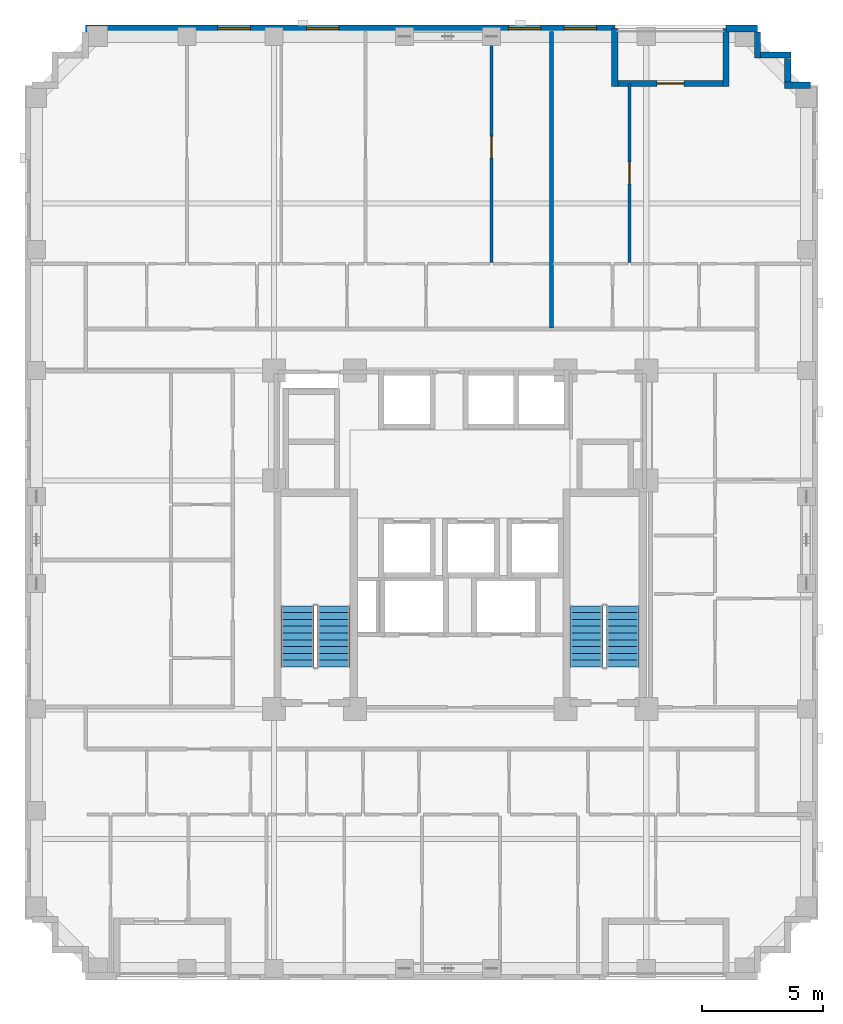
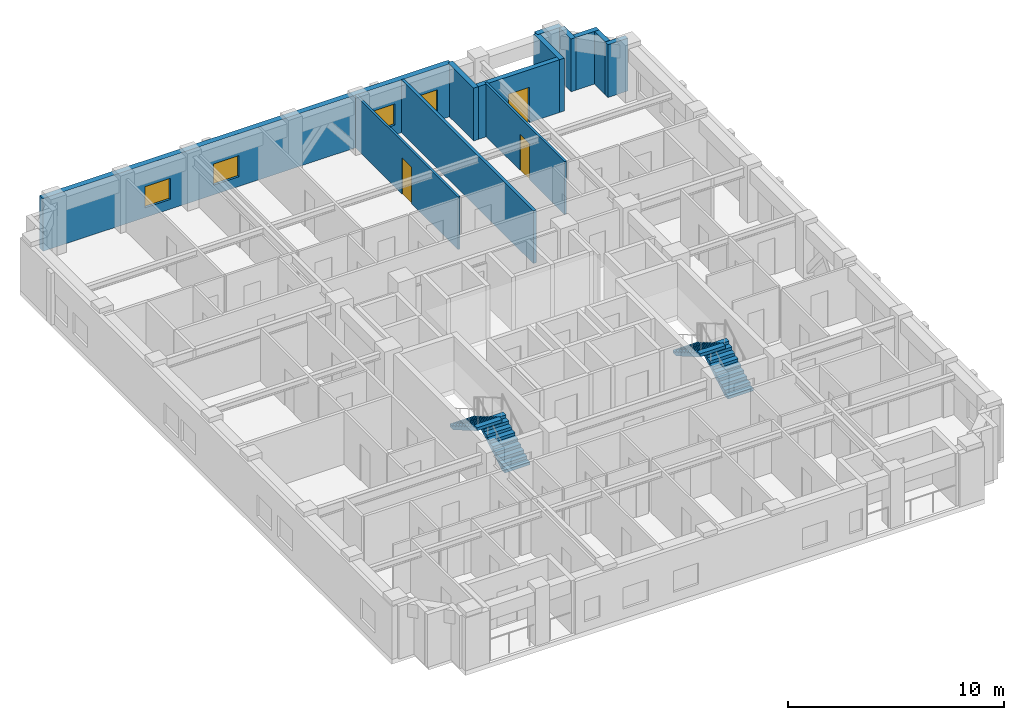
# One storey, part 8 of 12: 12 walls, 4 stair flights, 4 windows, 3 doors, 7 openings, 2 elements without a shape of their own.
"""IFC4 building model written with IfcOpenShell, lengths in metres."""

from ifc_helpers import new_model, si_unit, derived_unit, direction, frame, frame_2d, origin, place, context, subcontext, project, spatial, polyline, rectangle, outline, extrude, material, layer, layer_set, type_object, element, fill, aggregate, save


model = new_model("IFC4")

# Units and contexts
model_context = context("Model", 3, precision=1e-05, world=origin(), true_north=direction((0.0, 1.0)))
body_context = subcontext(model_context, "Body", "Model", "MODEL_VIEW")
ifc_project = project(units=[si_unit("LENGTHUNIT", "METRE"), si_unit("AREAUNIT", "SQUARE_METRE"), si_unit("VOLUMEUNIT", "CUBIC_METRE"), si_unit("PLANEANGLEUNIT", "RADIAN"), si_unit("MASSUNIT", "GRAM", prefix="KILO"), derived_unit("THERMALTRANSMITTANCEUNIT", [(si_unit("MASSUNIT", "GRAM", prefix="KILO"), 1), (si_unit("TIMEUNIT", "SECOND"), -3), (si_unit("THERMODYNAMICTEMPERATUREUNIT", "KELVIN"), -1)])], contexts=[model_context])

# Site, building, storey
site_placement = place(None, origin())
site = spatial("IfcSite", under=ifc_project, at=site_placement, CompositionType="ELEMENT")
building_placement = place(site_placement, origin())
building = spatial("IfcBuilding", under=site, at=building_placement, Name="Korrvale Station Residences", CompositionType="ELEMENT")
storey_placement = place(building_placement, frame((0.0, 0.0, 127.64990234375)))
storey = spatial("IfcBuildingStorey", under=building, at=storey_placement, Name="L36", CompositionType="ELEMENT", Elevation=127.64990234375)

# Wall
ifc_material_1 = material(Name="Precast concrete C45/55", Category="concrete")
ifc_layer_1 = layer(ifc_material_1, 0.260009765625, Name="Precast concrete C45/55")
ifc_layer_set_1 = layer_set([ifc_layer_1], Name="Precast concrete C45/55")
wall_type_1 = type_object("IfcWallType", Name="WAL-EXT-LOG260", PredefinedType="SOLIDWALL", material=ifc_layer_set_1)
wall_1_placement = place(storey_placement, frame((31.89990234375, 43.139892578125, 0.0), z_axis=(0.0, 0.0, 1.0), x_axis=(0.0, -1.0, 0.0)))
element("IfcWall", 1, at=wall_1_placement, inside=storey, type_object=wall_type_1, Name="L36 Recessed Loggia Wall BAL-L36-N1-L", PredefinedType="SOLIDWALL", context=body_context, shape_type="SweptSolid", body=[
    extrude(rectangle(XDim=2.39990234375, YDim=0.260009765625, at=frame_2d((1.199951171875, 0.0))), origin(), (0.0, 0.0, 1.0), 2.989990234375),
])

# Wall, opening, door
wall_2_placement = place(storey_placement, frame((32.033935546875, 40.8701171875, 0.0), z_axis=(0.0, 0.0, 1.0), x_axis=(1.0, 0.0, 0.0)))
wall_2 = element("IfcWall", 2, at=wall_2_placement, inside=storey, type_object=wall_type_1, Name="L36 Recessed Loggia Wall BAL-L36-N1-B", PredefinedType="SOLIDWALL", context=body_context, shape_type="SweptSolid", body=[
    extrude(rectangle(XDim=4.33203125, YDim=0.260009765625, at=frame_2d((2.166015625, 0.0))), origin(), (0.0, 0.0, 1.0), 2.989990234375),
])
opening_1_placement = place(wall_2_placement, frame((1.615966796875, 0.0, 0.0)))
opening_1 = element("IfcOpeningElement", 3, at=opening_1_placement, cuts=wall_2, Name="Opening BD-01", PredefinedType="OPENING", context=body_context, shape_type="SweptSolid", body=[
    extrude(rectangle(XDim=1.10009765625, YDim=2.0, at=frame_2d((0.550048828125, 1.0))), frame((0.0, 0.14013671875, 0.0), z_axis=(0.0, -1.0, 0.0), x_axis=(1.0, 0.0, 0.0)), (0.0, 0.0, 1.0), 0.280029296875),
])
ifc_material_2 = material(Name="Exterior thermally broken aluminium glazed balcony door", Category="aluminium")
door_type_1 = type_object("IfcDoorType", Name="DR-EXT-BAL", OperationType="NOTDEFINED", PredefinedType="DOOR", material=ifc_material_2)
door_1_placement = place(opening_1_placement, origin())
door_1 = element("IfcDoor", 4, at=door_1_placement, inside=storey, type_object=door_type_1, Name="L36 Loggia Balcony Door BAL-L36-N1", OperationType="SINGLE_SWING_RIGHT", OverallHeight=2.0, OverallWidth=1.10009765625, PredefinedType="DOOR", context=body_context, shape_type="SweptSolid", body=[
    extrude(rectangle(XDim=1.10009765625, YDim=2.0, at=frame_2d((0.550048828125, 1.0))), frame((0.0, 0.02490234375, 0.0), z_axis=(0.0, -1.0, 0.0), x_axis=(1.0, 0.0, 0.0)), (0.0, 0.0, 1.0), 0.050048828125),
])
fill(opening_1, door_1)

# Walls
wall_3_placement = place(storey_placement, frame((36.5, 40.739990234375, 0.0), z_axis=(0.0, 0.0, 1.0), x_axis=(0.0, 1.0, 0.0)))
element("IfcWall", 5, at=wall_3_placement, inside=storey, type_object=wall_type_1, Name="L36 Recessed Loggia Wall BAL-L36-N1-R", PredefinedType="SOLIDWALL", context=body_context, shape_type="SweptSolid", body=[
    extrude(rectangle(XDim=2.39990234375, YDim=0.260009765625, at=frame_2d((1.199951171875, 0.0))), origin(), (0.0, 0.0, 1.0), 2.989990234375),
])
wall_4_placement = place(storey_placement, frame((37.800048828125, 42.998046875, 0.0), z_axis=(0.0, 0.0, 1.0), x_axis=(0.0, -1.0, 0.0)))
element("IfcWall", 6, at=wall_4_placement, inside=storey, type_object=wall_type_1, Name="L36 Serrated Corner Precast Step NE-1", PredefinedType="SOLIDWALL", context=body_context, shape_type="SweptSolid", body=[
    extrude(rectangle(XDim=1.078125, YDim=0.260009765625, at=frame_2d((0.5390625, 0.0))), origin(), (0.0, 0.0, 1.0), 2.989990234375),
])
wall_5_placement = place(storey_placement, frame((37.931884765625, 42.050048828125, 0.0), z_axis=(0.0, 0.0, 1.0), x_axis=(1.0, 0.0, 0.0)))
element("IfcWall", 7, at=wall_5_placement, inside=storey, type_object=wall_type_1, Name="L36 Serrated Corner Precast Step NE-2", PredefinedType="SOLIDWALL", context=body_context, shape_type="SweptSolid", body=[
    extrude(rectangle(XDim=1.248046875, YDim=0.260009765625, at=frame_2d((0.6240234375, 0.0))), origin(), (0.0, 0.0, 1.0), 2.989990234375),
])
wall_6_placement = place(storey_placement, frame((39.050048828125, 41.91796875, 0.0), z_axis=(0.0, 0.0, 1.0), x_axis=(0.0, -1.0, 0.0)))
element("IfcWall", 8, at=wall_6_placement, inside=storey, type_object=wall_type_1, Name="L36 Serrated Corner Precast Step NE-3", PredefinedType="SOLIDWALL", context=body_context, shape_type="SweptSolid", body=[
    extrude(rectangle(XDim=0.986083984375, YDim=0.260009765625, at=frame_2d((0.4931640625, 0.0))), origin(), (0.0, 0.0, 1.0), 2.989990234375),
])
wall_7_placement = place(storey_placement, frame((38.919921875, 40.800048828125, 0.0), z_axis=(0.0, 0.0, 1.0), x_axis=(1.0, 0.0, 0.0)))
element("IfcWall", 9, at=wall_7_placement, inside=storey, type_object=wall_type_1, Name="L36 Serrated Corner Precast Step NE-4", PredefinedType="SOLIDWALL", context=body_context, shape_type="SweptSolid", body=[
    extrude(rectangle(XDim=1.078125, YDim=0.260009765625, at=frame_2d((0.5390625, 0.0))), origin(), (0.0, 0.0, 1.0), 2.989990234375),
])

# Wall, openings, windows
ifc_layer_2 = layer(ifc_material_1, 0.300048828125, Name="Precast concrete C45/55")
ifc_layer_set_2 = layer_set([ifc_layer_2], Name="Precast concrete C45/55")
wall_type_2 = type_object("IfcWallType", Name="WAL-EXT-PC300", PredefinedType="SOLIDWALL", material=ifc_layer_set_2)
wall_8_placement = place(storey_placement, frame((10.0, 43.14990234375, 0.0), z_axis=(0.0, 0.0, 1.0), x_axis=(1.0, 0.0, 0.0)))
wall_8 = element("IfcWall", 10, at=wall_8_placement, inside=storey, type_object=wall_type_2, Name="L36 North Exterior Precast Wall 1", PredefinedType="SOLIDWALL", context=body_context, shape_type="SweptSolid", body=[
    extrude(rectangle(XDim=21.89990234375, YDim=0.300048828125, at=frame_2d((10.949951171875, 0.0))), origin(), (0.0, 0.0, 1.0), 2.989990234375),
])
opening_2_placement = place(wall_8_placement, frame((5.47509765625, 0.0, 0.550048828125)))
opening_2 = element("IfcOpeningElement", 11, at=opening_2_placement, cuts=wall_8, Name="Opening W-10", PredefinedType="OPENING", context=body_context, shape_type="SweptSolid", body=[
    extrude(rectangle(XDim=1.35009765625, YDim=1.199951171875, at=frame_2d((0.675048828125, 0.60009765625))), frame((0.0, 0.16015625, 0.0), z_axis=(0.0, -1.0, 0.0), x_axis=(1.0, 0.0, 0.0)), (0.0, 0.0, 1.0), 0.320068359375),
])
opening_3_placement = place(wall_8_placement, frame((9.14990234375, 0.0, 0.550048828125)))
opening_3 = element("IfcOpeningElement", 12, at=opening_3_placement, cuts=wall_8, Name="Opening W-10", PredefinedType="OPENING", context=body_context, shape_type="SweptSolid", body=[
    extrude(rectangle(XDim=1.35009765625, YDim=1.199951171875, at=frame_2d((0.675048828125, 0.60009765625))), frame((0.0, 0.16015625, 0.0), z_axis=(0.0, -1.0, 0.0), x_axis=(1.0, 0.0, 0.0)), (0.0, 0.0, 1.0), 0.320068359375),
])
opening_4_placement = place(wall_8_placement, frame((17.5, 0.0, 0.550048828125)))
opening_4 = element("IfcOpeningElement", 13, at=opening_4_placement, cuts=wall_8, Name="Opening W-10", PredefinedType="OPENING", context=body_context, shape_type="SweptSolid", body=[
    extrude(rectangle(XDim=1.35009765625, YDim=1.199951171875, at=frame_2d((0.675048828125, 0.60009765625))), frame((0.0, 0.16015625, 0.0), z_axis=(0.0, -1.0, 0.0), x_axis=(1.0, 0.0, 0.0)), (0.0, 0.0, 1.0), 0.320068359375),
])
opening_5_placement = place(wall_8_placement, frame((19.800048828125, 0.0, 0.550048828125)))
opening_5 = element("IfcOpeningElement", 14, at=opening_5_placement, cuts=wall_8, Name="Opening W-10", PredefinedType="OPENING", context=body_context, shape_type="SweptSolid", body=[
    extrude(rectangle(XDim=1.35009765625, YDim=1.199951171875, at=frame_2d((0.675048828125, 0.60009765625))), frame((0.0, 0.16015625, 0.0), z_axis=(0.0, -1.0, 0.0), x_axis=(1.0, 0.0, 0.0)), (0.0, 0.0, 1.0), 0.320068359375),
])
ifc_material_3 = material(Name="Thermally broken aluminium frame with triple low-e glazing", Category="aluminium")
window_type = type_object("IfcWindowType", Name="WIN-W10", PartitioningType="SINGLE_PANEL", PredefinedType="WINDOW", material=ifc_material_3)
window_1_placement = place(opening_2_placement, origin())
window_1 = element("IfcWindow", 15, at=window_1_placement, inside=storey, type_object=window_type, Name="L36 Punched Window 11", OverallHeight=1.199951171875, OverallWidth=1.35009765625, PartitioningType="SINGLE_PANEL", PredefinedType="WINDOW", context=body_context, shape_type="SweptSolid", body=[
    extrude(rectangle(XDim=1.35009765625, YDim=1.199951171875, at=frame_2d((0.675048828125, 0.60009765625))), frame((0.0, 0.030029296875, 0.0), z_axis=(0.0, -1.0, 0.0), x_axis=(1.0, 0.0, 0.0)), (0.0, 0.0, 1.0), 0.06005859375),
])
fill(opening_2, window_1)
window_2_placement = place(opening_3_placement, origin())
window_2 = element("IfcWindow", 16, at=window_2_placement, inside=storey, type_object=window_type, Name="L36 Punched Window 12", OverallHeight=1.199951171875, OverallWidth=1.35009765625, PartitioningType="SINGLE_PANEL", PredefinedType="WINDOW", context=body_context, shape_type="SweptSolid", body=[
    extrude(rectangle(XDim=1.35009765625, YDim=1.199951171875, at=frame_2d((0.675048828125, 0.60009765625))), frame((0.0, 0.030029296875, 0.0), z_axis=(0.0, -1.0, 0.0), x_axis=(1.0, 0.0, 0.0)), (0.0, 0.0, 1.0), 0.06005859375),
])
fill(opening_3, window_2)
window_3_placement = place(opening_4_placement, origin())
window_3 = element("IfcWindow", 17, at=window_3_placement, inside=storey, type_object=window_type, Name="L36 Punched Window 13", OverallHeight=1.199951171875, OverallWidth=1.35009765625, PartitioningType="SINGLE_PANEL", PredefinedType="WINDOW", context=body_context, shape_type="SweptSolid", body=[
    extrude(rectangle(XDim=1.35009765625, YDim=1.199951171875, at=frame_2d((0.675048828125, 0.60009765625))), frame((0.0, 0.030029296875, 0.0), z_axis=(0.0, -1.0, 0.0), x_axis=(1.0, 0.0, 0.0)), (0.0, 0.0, 1.0), 0.06005859375),
])
fill(opening_4, window_3)
window_4_placement = place(opening_5_placement, origin())
window_4 = element("IfcWindow", 18, at=window_4_placement, inside=storey, type_object=window_type, Name="L36 Punched Window 14", OverallHeight=1.199951171875, OverallWidth=1.35009765625, PartitioningType="SINGLE_PANEL", PredefinedType="WINDOW", context=body_context, shape_type="SweptSolid", body=[
    extrude(rectangle(XDim=1.35009765625, YDim=1.199951171875, at=frame_2d((0.675048828125, 0.60009765625))), frame((0.0, 0.030029296875, 0.0), z_axis=(0.0, -1.0, 0.0), x_axis=(1.0, 0.0, 0.0)), (0.0, 0.0, 1.0), 0.06005859375),
])
fill(opening_5, window_4)

# Wall
wall_9_placement = place(storey_placement, frame((36.5, 43.14990234375, 0.0), z_axis=(0.0, 0.0, 1.0), x_axis=(1.0, 0.0, 0.0)))
element("IfcWall", 19, at=wall_9_placement, inside=storey, type_object=wall_type_2, Name="L36 North Exterior Precast Wall 2", PredefinedType="SOLIDWALL", context=body_context, shape_type="SweptSolid", body=[
    extrude(rectangle(XDim=1.300048828125, YDim=0.300048828125, at=frame_2d((0.64990234375, 0.0))), origin(), (0.0, 0.0, 1.0), 2.989990234375),
])

# Wall, opening, door
ifc_material_4 = material(Name="Acoustic steel-stud gypsum board partition", Category="steel")
ifc_layer_3 = layer(ifc_material_4, 0.1201171875, Name="Acoustic steel-stud gypsum board partition")
ifc_layer_set_3 = layer_set([ifc_layer_3], Name="Acoustic steel-stud gypsum board partition")
wall_type_3 = type_object("IfcWallType", Name="WAL-PART-125", PredefinedType="PARTITIONING", material=ifc_layer_set_3)
wall_10_placement = place(storey_placement, frame((26.800048828125, 33.47998046875, 0.0), z_axis=(0.0, 0.0, 1.0), x_axis=(0.0, 1.0, 0.0)))
wall_10 = element("IfcWall", 20, at=wall_10_placement, inside=storey, type_object=wall_type_3, Name="L36 Suite Partition U02-V89", PredefinedType="PARTITIONING", context=body_context, shape_type="SweptSolid", body=[
    extrude(rectangle(XDim=9.5400390625, YDim=0.1201171875, at=frame_2d((4.77001953125, 0.0))), origin(), (0.0, 0.0, 1.0), 2.989990234375),
])
opening_6_placement = place(wall_10_placement, frame((4.304931640625, 0.0, 0.0)))
opening_6 = element("IfcOpeningElement", 21, at=opening_6_placement, cuts=wall_10, Name="Opening DI-900", PredefinedType="OPENING", context=body_context, shape_type="SweptSolid", body=[
    extrude(rectangle(XDim=0.89990234375, YDim=2.050048828125, at=frame_2d((0.449951171875, 1.02490234375))), frame((0.0, 0.070068359375, 0.0), z_axis=(0.0, -1.0, 0.0), x_axis=(1.0, 0.0, 0.0)), (0.0, 0.0, 1.0), 0.14013671875),
])
ifc_material_5 = material(Name="Painted solid-core timber interior room door", Category="wood")
door_type_2 = type_object("IfcDoorType", Name="DR-INT-900", OperationType="NOTDEFINED", PredefinedType="DOOR", material=ifc_material_5)
door_2_placement = place(opening_6_placement, origin())
door_2 = element("IfcDoor", 22, at=door_2_placement, inside=storey, type_object=door_type_2, Name="L36 Apartment 1BR L36-U02 Wardrobe Storage Room Door", OperationType="SINGLE_SWING_RIGHT", OverallHeight=2.050048828125, OverallWidth=0.89990234375, PredefinedType="DOOR", context=body_context, shape_type="SweptSolid", body=[
    extrude(rectangle(XDim=0.89990234375, YDim=2.050048828125, at=frame_2d((0.449951171875, 1.02490234375))), frame((0.0, 0.02490234375, 0.0), z_axis=(0.0, -1.0, 0.0), x_axis=(1.0, 0.0, 0.0)), (0.0, 0.0, 1.0), 0.050048828125),
])
fill(opening_6, door_2)

wall_11_placement = place(storey_placement, frame((32.5029296875, 33.47998046875, 0.0), z_axis=(0.0, 0.0, 1.0), x_axis=(0.0, 1.0, 0.0)))
wall_11 = element("IfcWall", 23, at=wall_11_placement, inside=storey, type_object=wall_type_3, Name="L36 Suite Partition U03-V34", PredefinedType="PARTITIONING", context=body_context, shape_type="SweptSolid", body=[
    extrude(rectangle(XDim=7.39013671875, YDim=0.1201171875, at=frame_2d((3.695068359375, 0.0))), origin(), (0.0, 0.0, 1.0), 2.989990234375),
])
opening_7_placement = place(wall_11_placement, frame((3.2451171875, 0.0, 0.0)))
opening_7 = element("IfcOpeningElement", 24, at=opening_7_placement, cuts=wall_11, Name="Opening DI-900", PredefinedType="OPENING", context=body_context, shape_type="SweptSolid", body=[
    extrude(rectangle(XDim=0.89990234375, YDim=2.050048828125, at=frame_2d((0.449951171875, 1.02490234375))), frame((0.0, 0.070068359375, 0.0), z_axis=(0.0, -1.0, 0.0), x_axis=(1.0, 0.0, 0.0)), (0.0, 0.0, 1.0), 0.14013671875),
])
door_3_placement = place(opening_7_placement, origin())
door_3 = element("IfcDoor", 25, at=door_3_placement, inside=storey, type_object=door_type_2, Name="L36 Studio Apartment L36-U03 Formal Dining Room Door", OperationType="SINGLE_SWING_LEFT", OverallHeight=2.050048828125, OverallWidth=0.89990234375, PredefinedType="DOOR", context=body_context, shape_type="SweptSolid", body=[
    extrude(rectangle(XDim=0.89990234375, YDim=2.050048828125, at=frame_2d((0.449951171875, 1.02490234375))), frame((0.0, 0.02490234375, 0.0), z_axis=(0.0, -1.0, 0.0), x_axis=(1.0, 0.0, 0.0)), (0.0, 0.0, 1.0), 0.050048828125),
])
fill(opening_7, door_3)

# Wall
ifc_material_6 = material(Name="Fire-rated twin-stud gypsum and mineral wool shaftwall assembly", Category="gypsum")
ifc_layer_4 = layer(ifc_material_6, 0.159912109375, Name="Fire-rated twin-stud gypsum and mineral wool shaftwall assembly")
ifc_layer_set_4 = layer_set([ifc_layer_4], Name="Fire-rated twin-stud gypsum and mineral wool shaftwall assembly")
wall_type_4 = type_object("IfcWallType", Name="WAL-PART-200", PredefinedType="PARTITIONING", material=ifc_layer_set_4)
wall_12_placement = place(storey_placement, frame((29.282958984375, 30.760009765625, 0.0), z_axis=(0.0, 0.0, 1.0), x_axis=(0.0, 1.0, 0.0)))
element("IfcWall", 26, at=wall_12_placement, inside=storey, type_object=wall_type_4, Name="L36 Demising Wall U03-W", PredefinedType="PARTITIONING", context=body_context, shape_type="SweptSolid", body=[
    extrude(rectangle(XDim=12.260009765625, YDim=0.159912109375, at=frame_2d((6.1298828125, 0.0))), origin(), (0.0, 0.0, 1.0), 2.989990234375),
])

# Stair, stair flights
ifc_material_7 = material(Name="Concrete C50/60", Category="concrete")
stair_type = type_object("IfcStairType", Name="STR-DL-1350-20R-1625", PredefinedType="HALF_TURN_STAIR", material=ifc_material_7)
stair_1_placement = place(storey_placement, origin())
stair_1 = element("IfcStair", 27, at=stair_1_placement, inside=storey, type_object=stair_type, Name="L36 Exit Stair 1", PredefinedType="HALF_TURN_STAIR")
stair_flight_type = type_object("IfcStairFlightType", Name="FLT-DL-1350-20R-1625", PredefinedType="STRAIGHT", material=ifc_material_7)
stair_flight_1_placement = place(storey_placement, frame((20.27490234375, 16.75, 0.0), z_axis=(0.0, 0.0, 1.0), x_axis=(0.0, 1.0, 0.0)))
stair_flight_1 = element("IfcStairFlight", 28, at=stair_flight_1_placement, type_object=stair_flight_type, Name="ST-1 flight 1", NumberOfRisers=10, NumberOfTreads=9, PredefinedType="STRAIGHT", RiserHeight=0.1625, TreadLength=0.28, context=body_context, shape_type="SweptSolid", body=[
    extrude(outline(polyline([(0.0, 0.0), (0.0, 0.16259765625), (0.280029296875, 0.16259765625), (0.280029296875, 0.324951171875), (0.56005859375, 0.324951171875), (0.56005859375, 0.487548828125), (0.840087890625, 0.487548828125), (0.840087890625, 0.64990234375), (1.1201171875, 0.64990234375), (1.1201171875, 0.8125), (1.39990234375, 0.8125), (1.39990234375, 0.97509765625), (1.679931640625, 0.97509765625), (1.679931640625, 1.137451171875), (1.9599609375, 1.137451171875), (1.9599609375, 1.300048828125), (2.239990234375, 1.300048828125), (2.239990234375, 1.46240234375), (2.52001953125, 1.46240234375), (2.52001953125, 1.625), (2.52001953125, 1.2890625), (0.298583984375, 0.0), (0.0, 0.0)])), frame((0.0, 0.675048828125, 0.0), z_axis=(0.0, -1.0, 0.0), x_axis=(1.0, 0.0, 0.0)), (0.0, 0.0, 1.0), 1.35009765625),
])
stair_flight_2_placement = place(storey_placement, frame((18.77490234375, 19.27001953125, 1.625), z_axis=(0.0, 0.0, 1.0), x_axis=(0.0, -1.0, 0.0)))
stair_flight_2 = element("IfcStairFlight", 29, at=stair_flight_2_placement, type_object=stair_flight_type, Name="ST-1 flight 2", NumberOfRisers=10, NumberOfTreads=9, PredefinedType="STRAIGHT", RiserHeight=0.1625, TreadLength=0.28, context=body_context, shape_type="SweptSolid", body=[
    extrude(outline(polyline([(0.0, 0.0), (0.0, 0.16259765625), (0.280029296875, 0.16259765625), (0.280029296875, 0.324951171875), (0.56005859375, 0.324951171875), (0.56005859375, 0.487548828125), (0.840087890625, 0.487548828125), (0.840087890625, 0.64990234375), (1.1201171875, 0.64990234375), (1.1201171875, 0.8125), (1.39990234375, 0.8125), (1.39990234375, 0.97509765625), (1.679931640625, 0.97509765625), (1.679931640625, 1.137451171875), (1.9599609375, 1.137451171875), (1.9599609375, 1.300048828125), (2.239990234375, 1.300048828125), (2.239990234375, 1.46240234375), (2.52001953125, 1.46240234375), (2.52001953125, 1.625), (2.52001953125, 1.2890625), (0.298583984375, 0.0), (0.0, 0.0)])), frame((0.0, 0.675048828125, 0.0), z_axis=(0.0, -1.0, 0.0), x_axis=(1.0, 0.0, 0.0)), (0.0, 0.0, 1.0), 1.35009765625),
])
aggregate(stair_1, [stair_flight_1, stair_flight_2])

stair_2_placement = place(storey_placement, origin())
stair_2 = element("IfcStair", 30, at=stair_2_placement, inside=storey, type_object=stair_type, Name="L36 Exit Stair 2", PredefinedType="HALF_TURN_STAIR")
stair_flight_3_placement = place(storey_placement, frame((32.22509765625, 16.75, 0.0), z_axis=(0.0, 0.0, 1.0), x_axis=(0.0, 1.0, 0.0)))
stair_flight_3 = element("IfcStairFlight", 31, at=stair_flight_3_placement, type_object=stair_flight_type, Name="ST-2 flight 1", NumberOfRisers=10, NumberOfTreads=9, PredefinedType="STRAIGHT", RiserHeight=0.1625, TreadLength=0.28, context=body_context, shape_type="SweptSolid", body=[
    extrude(outline(polyline([(0.0, 0.0), (0.0, 0.16259765625), (0.280029296875, 0.16259765625), (0.280029296875, 0.324951171875), (0.56005859375, 0.324951171875), (0.56005859375, 0.487548828125), (0.840087890625, 0.487548828125), (0.840087890625, 0.64990234375), (1.1201171875, 0.64990234375), (1.1201171875, 0.8125), (1.39990234375, 0.8125), (1.39990234375, 0.97509765625), (1.679931640625, 0.97509765625), (1.679931640625, 1.137451171875), (1.9599609375, 1.137451171875), (1.9599609375, 1.300048828125), (2.239990234375, 1.300048828125), (2.239990234375, 1.46240234375), (2.52001953125, 1.46240234375), (2.52001953125, 1.625), (2.52001953125, 1.2890625), (0.298583984375, 0.0), (0.0, 0.0)])), frame((0.0, 0.675048828125, 0.0), z_axis=(0.0, -1.0, 0.0), x_axis=(1.0, 0.0, 0.0)), (0.0, 0.0, 1.0), 1.35009765625),
])
stair_flight_4_placement = place(storey_placement, frame((30.72509765625, 19.27001953125, 1.625), z_axis=(0.0, 0.0, 1.0), x_axis=(0.0, -1.0, 0.0)))
stair_flight_4 = element("IfcStairFlight", 32, at=stair_flight_4_placement, type_object=stair_flight_type, Name="ST-2 flight 2", NumberOfRisers=10, NumberOfTreads=9, PredefinedType="STRAIGHT", RiserHeight=0.1625, TreadLength=0.28, context=body_context, shape_type="SweptSolid", body=[
    extrude(outline(polyline([(0.0, 0.0), (0.0, 0.16259765625), (0.280029296875, 0.16259765625), (0.280029296875, 0.324951171875), (0.56005859375, 0.324951171875), (0.56005859375, 0.487548828125), (0.840087890625, 0.487548828125), (0.840087890625, 0.64990234375), (1.1201171875, 0.64990234375), (1.1201171875, 0.8125), (1.39990234375, 0.8125), (1.39990234375, 0.97509765625), (1.679931640625, 0.97509765625), (1.679931640625, 1.137451171875), (1.9599609375, 1.137451171875), (1.9599609375, 1.300048828125), (2.239990234375, 1.300048828125), (2.239990234375, 1.46240234375), (2.52001953125, 1.46240234375), (2.52001953125, 1.625), (2.52001953125, 1.2890625), (0.298583984375, 0.0), (0.0, 0.0)])), frame((0.0, 0.675048828125, 0.0), z_axis=(0.0, -1.0, 0.0), x_axis=(1.0, 0.0, 0.0)), (0.0, 0.0, 1.0), 1.35009765625),
])
aggregate(stair_2, [stair_flight_3, stair_flight_4])

save(model, "model.ifc")
